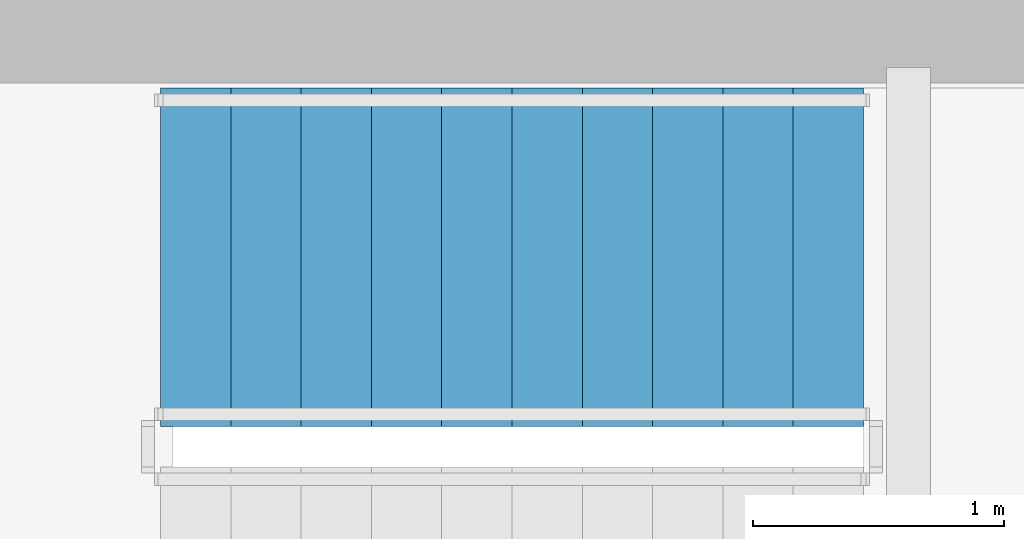
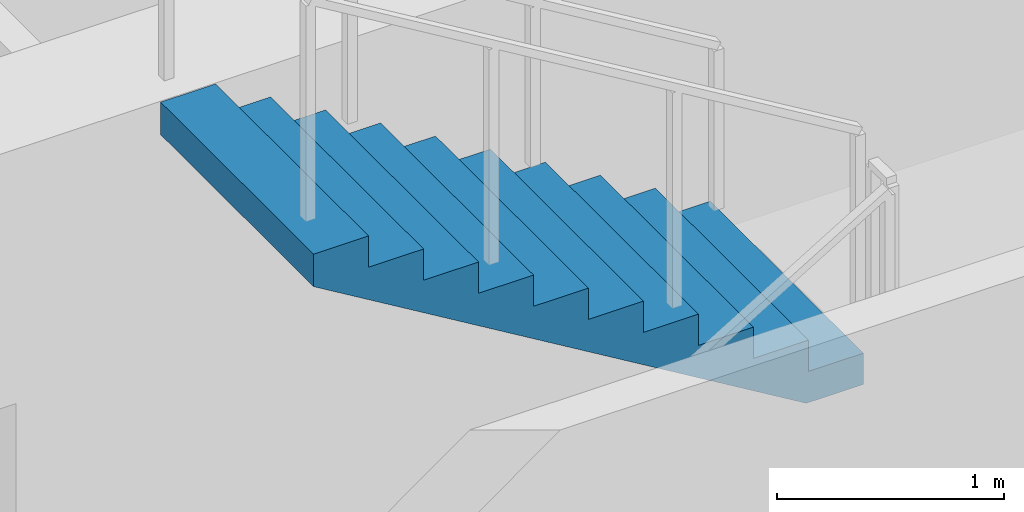
# One storey, part 20 of 23: 1 stair flight, 1 element without a shape of its own.
"""IFC4 building model written with IfcOpenShell, lengths in metres."""

from ifc_helpers import new_model, si_unit, direction, frame, origin, place, context, subcontext, project, spatial, polyline, outline, extrude, material, type_object, element, aggregate, save


model = new_model("IFC4")

# Units and contexts
model_context = context("Model", 3, precision=1e-05, world=origin(), true_north=direction((0.0, 1.0)))
body_context = subcontext(model_context, "Body", "Model", "MODEL_VIEW")
ifc_project = project(units=[si_unit("LENGTHUNIT", "METRE"), si_unit("AREAUNIT", "SQUARE_METRE"), si_unit("VOLUMEUNIT", "CUBIC_METRE"), si_unit("PLANEANGLEUNIT", "RADIAN"), si_unit("MASSUNIT", "GRAM", prefix="KILO")], contexts=[model_context])

# Site, building, storey
site_placement = place(None, origin())
site = spatial("IfcSite", under=ifc_project, at=site_placement, CompositionType="ELEMENT")
building_placement = place(site_placement, origin())
building = spatial("IfcBuilding", under=site, at=building_placement, Name="Qianvela Tower", CompositionType="ELEMENT")
storey_placement = place(building_placement, frame((0.0, 0.0, 63.60009765625)))
storey = spatial("IfcBuildingStorey", under=building, at=storey_placement, Name="L15", CompositionType="ELEMENT", Elevation=63.60009765625)

# Stair, stair flight
ifc_material_1 = material(Name="Concrete C40", Category="concrete")
stair_type = type_object("IfcStairType", Name="ST-DOGLEG-1350-R168-N22", PredefinedType="HALF_TURN_STAIR", material=ifc_material_1)
stair_placement = place(storey_placement, origin())
stair = element("IfcStair", 1, at=stair_placement, inside=storey, type_object=stair_type, Name="L15 Smoke-Proof Core Stair ST-1", PredefinedType="HALF_TURN_STAIR")
ifc_material_2 = material(Name="Concrete C40", Category="concrete")
stair_flight_type = type_object("IfcStairFlightType", Name="STF-STRAIGHT-R168-P11", PredefinedType="STRAIGHT", material=ifc_material_2)
stair_flight_placement = place(storey_placement, frame((35.0, 31.72509765625, 1.849853515625), z_axis=(0.0, 0.0, 1.0), x_axis=(-1.0, 0.0, 0.0)))
stair_flight = element("IfcStairFlight", 2, at=stair_flight_placement, type_object=stair_flight_type, Name="ST-1 flight 2", NumberOfRisers=11, NumberOfTreads=10, PredefinedType="STRAIGHT", RiserHeight=0.168181818, TreadLength=0.28, context=body_context, shape_type="SweptSolid", body=[
    extrude(outline(polyline([(0.0, 0.0), (0.0, 0.168212890625), (0.280029296875, 0.168212890625), (0.280029296875, 0.33642578125), (0.56005859375, 0.33642578125), (0.56005859375, 0.504638671875), (0.840087890625, 0.504638671875), (0.840087890625, 0.672607421875), (1.1201171875, 0.672607421875), (1.1201171875, 0.8408203125), (1.39990234375, 0.8408203125), (1.39990234375, 1.009033203125), (1.679931640625, 1.009033203125), (1.679931640625, 1.17724609375), (1.9599609375, 1.17724609375), (1.9599609375, 1.345458984375), (2.239990234375, 1.345458984375), (2.239990234375, 1.513671875), (2.52001953125, 1.513671875), (2.52001953125, 1.681884765625), (2.800048828125, 1.681884765625), (2.800048828125, 1.85009765625), (2.800048828125, 1.5068359375), (0.291015625, 0.0), (0.0, 0.0)])), frame((0.0, 0.675048828125, 0.0), z_axis=(0.0, -1.0, 0.0), x_axis=(1.0, 0.0, 0.0)), (0.0, 0.0, 1.0), 1.35009765625),
])
aggregate(stair, [stair_flight])

save(model, "model.ifc")
